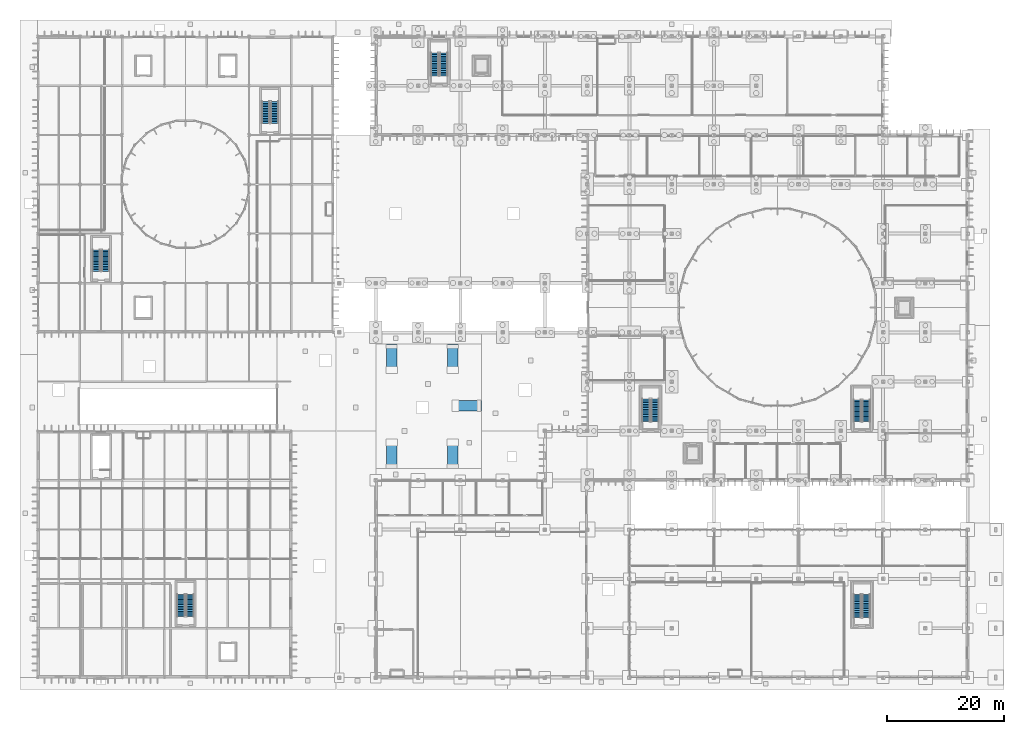
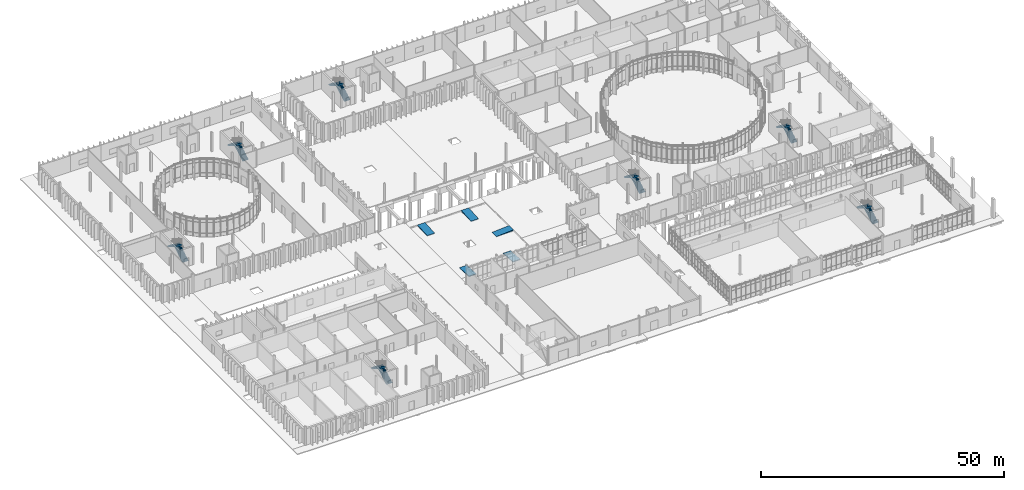
# One storey, part 101 of 118: 14 stair flights, 5 ramp flights, 12 elements without a shape of their own.
"""IFC4 building model written with IfcOpenShell, lengths in metres."""

from ifc_helpers import new_model, si_unit, direction, frame, origin, place, context, subcontext, project, spatial, polyline, outline, extrude, material, layer, layer_set, type_object, element, aggregate, save


model = new_model("IFC4")

# Units and contexts
model_context = context("Model", 3, precision=1e-05, world=origin(), true_north=direction((0.0, 1.0)))
body_context = subcontext(model_context, "Body", "Model", "MODEL_VIEW")
ifc_project = project(units=[si_unit("LENGTHUNIT", "METRE"), si_unit("AREAUNIT", "SQUARE_METRE"), si_unit("VOLUMEUNIT", "CUBIC_METRE"), si_unit("PLANEANGLEUNIT", "RADIAN"), si_unit("MASSUNIT", "GRAM", prefix="KILO")], contexts=[model_context])

# Site, building, storey
site_placement = place(None, origin())
site = spatial("IfcSite", under=ifc_project, at=site_placement, CompositionType="ELEMENT")
building_placement = place(site_placement, origin())
building = spatial("IfcBuilding", under=site, at=building_placement, Name="Qelthora Terrace Specialist Clinic", CompositionType="ELEMENT")
storey_placement = place(building_placement, origin())
storey = spatial("IfcBuildingStorey", under=building, at=storey_placement, Name="L00", CompositionType="ELEMENT", Elevation=0.0)

# Stair, stair flights
ifc_material = material(Name="Concrete C30/37", Category="concrete")
stair_type_1 = type_object("IfcStairType", Name="STR-175-280", PredefinedType="HALF_TURN_STAIR", material=ifc_material)
stair_1_placement = place(storey_placement, origin())
stair_1 = element("IfcStair", 1, at=stair_1_placement, inside=storey, type_object=stair_type_1, Name="L00 Enclosed Exit Stair ST-01", PredefinedType="HALF_TURN_STAIR")
stair_flight_type_1 = type_object("IfcStairFlightType", Name="SFL-175-280", PredefinedType="STRAIGHT", material=ifc_material)
stair_flight_1_placement = place(storey_placement, frame((11.574951171875, 69.199951171875, 0.0), z_axis=(0.0, 0.0, 1.0), x_axis=(0.0, 1.0, 0.0)))
stair_flight_1 = element("IfcStairFlight", 2, at=stair_flight_1_placement, type_object=stair_flight_type_1, Name="ST-01 flight 1", NumberOfRisers=14, NumberOfTreads=13, PredefinedType="STRAIGHT", RiserHeight=0.171428571, TreadLength=0.28, context=body_context, shape_type="SweptSolid", body=[
    extrude(outline(polyline([(-0.001953125, 0.0), (-0.001953125, 0.17138671875), (0.280029296875, 0.17138671875), (0.280029296875, 0.3427734375), (0.56005859375, 0.3427734375), (0.56005859375, 0.514404296875), (0.840087890625, 0.514404296875), (0.840087890625, 0.685791015625), (1.1201171875, 0.685791015625), (1.1201171875, 0.857177734375), (1.39990234375, 0.857177734375), (1.39990234375, 1.028564453125), (1.679931640625, 1.028564453125), (1.679931640625, 1.199951171875), (1.9599609375, 1.199951171875), (1.9599609375, 1.371337890625), (2.239990234375, 1.371337890625), (2.239990234375, 1.54296875), (2.52001953125, 1.54296875), (2.52001953125, 1.71435546875), (2.800048828125, 1.71435546875), (2.800048828125, 1.8857421875), (3.080078125, 1.8857421875), (3.080078125, 2.05712890625), (3.360107421875, 2.05712890625), (3.360107421875, 2.228515625), (3.639892578125, 2.228515625), (3.639892578125, 2.39990234375), (3.64208984375, 2.39990234375), (3.64208984375, 2.017578125), (3.639892578125, 2.017578125), (0.344482421875, 0.0), (-0.001953125, 0.0)])), frame((0.0, 0.675048828125, 0.0), z_axis=(0.0, -1.0, 0.0), x_axis=(1.0, 0.0, 0.0)), (0.0, 0.0, 1.0), 1.35009765625),
])
stair_flight_2_placement = place(storey_placement, frame((10.02490234375, 72.840087890625, 2.39990234375), z_axis=(0.0, 0.0, 1.0), x_axis=(0.0, -1.0, 0.0)))
stair_flight_2 = element("IfcStairFlight", 3, at=stair_flight_2_placement, type_object=stair_flight_type_1, Name="ST-01 flight 2", NumberOfRisers=14, NumberOfTreads=13, PredefinedType="STRAIGHT", RiserHeight=0.171428571, TreadLength=0.28, context=body_context, shape_type="SweptSolid", body=[
    extrude(outline(polyline([(-0.001953125, 0.0), (-0.001953125, 0.17138671875), (0.280029296875, 0.17138671875), (0.280029296875, 0.3427734375), (0.56005859375, 0.3427734375), (0.56005859375, 0.514404296875), (0.840087890625, 0.514404296875), (0.840087890625, 0.685791015625), (1.1201171875, 0.685791015625), (1.1201171875, 0.857177734375), (1.39990234375, 0.857177734375), (1.39990234375, 1.028564453125), (1.679931640625, 1.028564453125), (1.679931640625, 1.199951171875), (1.9599609375, 1.199951171875), (1.9599609375, 1.371337890625), (2.239990234375, 1.371337890625), (2.239990234375, 1.54296875), (2.52001953125, 1.54296875), (2.52001953125, 1.71435546875), (2.800048828125, 1.71435546875), (2.800048828125, 1.8857421875), (3.080078125, 1.8857421875), (3.080078125, 2.05712890625), (3.360107421875, 2.05712890625), (3.360107421875, 2.228515625), (3.639892578125, 2.228515625), (3.639892578125, 2.39990234375), (3.64208984375, 2.39990234375), (3.64208984375, 2.017578125), (3.639892578125, 2.017578125), (0.344482421875, 0.0), (-0.001953125, 0.0)])), frame((0.0, 0.675048828125, 0.0), z_axis=(0.0, -1.0, 0.0), x_axis=(1.0, 0.0, 0.0)), (0.0, 0.0, 1.0), 1.35009765625),
])
aggregate(stair_1, [stair_flight_1, stair_flight_2])

stair_type_2 = type_object("IfcStairType", Name="STR-175-285", PredefinedType="HALF_TURN_STAIR", material=ifc_material)
stair_2_placement = place(storey_placement, origin())
stair_2 = element("IfcStair", 4, at=stair_2_placement, inside=storey, type_object=stair_type_2, Name="L00 Enclosed Exit Stair ST-02", PredefinedType="HALF_TURN_STAIR")
stair_flight_type_2 = type_object("IfcStairFlightType", Name="SFL-175-285", PredefinedType="STRAIGHT", material=ifc_material)
stair_flight_3_placement = place(storey_placement, frame((40.375, 94.39990234375, 0.0), z_axis=(0.0, 0.0, 1.0), x_axis=(0.0, 1.0, 0.0)))
stair_flight_3 = element("IfcStairFlight", 5, at=stair_flight_3_placement, type_object=stair_flight_type_2, Name="ST-02 flight 1", NumberOfRisers=14, NumberOfTreads=13, PredefinedType="STRAIGHT", RiserHeight=0.171428571, TreadLength=0.285, context=body_context, shape_type="SweptSolid", body=[
    extrude(outline(polyline([(-0.001953125, 0.0), (-0.001953125, 0.17138671875), (0.284912109375, 0.17138671875), (0.284912109375, 0.3427734375), (0.570068359375, 0.3427734375), (0.570068359375, 0.514404296875), (0.85498046875, 0.514404296875), (0.85498046875, 0.685791015625), (1.139892578125, 0.685791015625), (1.139892578125, 0.857177734375), (1.425048828125, 0.857177734375), (1.425048828125, 1.028564453125), (1.7099609375, 1.028564453125), (1.7099609375, 1.199951171875), (1.9951171875, 1.199951171875), (1.9951171875, 1.371337890625), (2.280029296875, 1.371337890625), (2.280029296875, 1.54296875), (2.56494140625, 1.54296875), (2.56494140625, 1.71435546875), (2.85009765625, 1.71435546875), (2.85009765625, 1.8857421875), (3.135009765625, 1.8857421875), (3.135009765625, 2.05712890625), (3.419921875, 2.05712890625), (3.419921875, 2.228515625), (3.705078125, 2.228515625), (3.705078125, 2.39990234375), (3.70703125, 2.39990234375), (3.70703125, 2.0185546875), (3.705078125, 2.0185546875), (0.34912109375, 0.0), (-0.001953125, 0.0)])), frame((0.0, 0.675048828125, 0.0), z_axis=(0.0, -1.0, 0.0), x_axis=(1.0, 0.0, 0.0)), (0.0, 0.0, 1.0), 1.35009765625),
])
stair_flight_4_placement = place(storey_placement, frame((38.824951171875, 98.10498046875, 2.39990234375), z_axis=(0.0, 0.0, 1.0), x_axis=(0.0, -1.0, 0.0)))
stair_flight_4 = element("IfcStairFlight", 6, at=stair_flight_4_placement, type_object=stair_flight_type_2, Name="ST-02 flight 2", NumberOfRisers=14, NumberOfTreads=13, PredefinedType="STRAIGHT", RiserHeight=0.171428571, TreadLength=0.285, context=body_context, shape_type="SweptSolid", body=[
    extrude(outline(polyline([(-0.001953125, 0.0), (-0.001953125, 0.17138671875), (0.284912109375, 0.17138671875), (0.284912109375, 0.3427734375), (0.570068359375, 0.3427734375), (0.570068359375, 0.514404296875), (0.85498046875, 0.514404296875), (0.85498046875, 0.685791015625), (1.139892578125, 0.685791015625), (1.139892578125, 0.857177734375), (1.425048828125, 0.857177734375), (1.425048828125, 1.028564453125), (1.7099609375, 1.028564453125), (1.7099609375, 1.199951171875), (1.9951171875, 1.199951171875), (1.9951171875, 1.371337890625), (2.280029296875, 1.371337890625), (2.280029296875, 1.54296875), (2.56494140625, 1.54296875), (2.56494140625, 1.71435546875), (2.85009765625, 1.71435546875), (2.85009765625, 1.8857421875), (3.135009765625, 1.8857421875), (3.135009765625, 2.05712890625), (3.419921875, 2.05712890625), (3.419921875, 2.228515625), (3.705078125, 2.228515625), (3.705078125, 2.39990234375), (3.70703125, 2.39990234375), (3.70703125, 2.0185546875), (3.705078125, 2.0185546875), (0.34912109375, 0.0), (-0.001953125, 0.0)])), frame((0.0, 0.675048828125, 0.0), z_axis=(0.0, -1.0, 0.0), x_axis=(1.0, 0.0, 0.0)), (0.0, 0.0, 1.0), 1.35009765625),
])
aggregate(stair_2, [stair_flight_3, stair_flight_4])

stair_3_placement = place(storey_placement, origin())
stair_3 = element("IfcStair", 7, at=stair_3_placement, inside=storey, type_object=stair_type_2, Name="L00 Enclosed Exit Stair ST-06", PredefinedType="HALF_TURN_STAIR")
stair_flight_5_placement = place(storey_placement, frame((141.175048828125, 43.60009765625, 0.0), z_axis=(0.0, 0.0, 1.0), x_axis=(0.0, 1.0, 0.0)))
stair_flight_5 = element("IfcStairFlight", 8, at=stair_flight_5_placement, type_object=stair_flight_type_2, Name="ST-06 flight 1", NumberOfRisers=14, NumberOfTreads=13, PredefinedType="STRAIGHT", RiserHeight=0.171428571, TreadLength=0.285, context=body_context, shape_type="SweptSolid", body=[
    extrude(outline(polyline([(-0.001953125, 0.0), (-0.001953125, 0.17138671875), (0.284912109375, 0.17138671875), (0.284912109375, 0.3427734375), (0.570068359375, 0.3427734375), (0.570068359375, 0.514404296875), (0.85498046875, 0.514404296875), (0.85498046875, 0.685791015625), (1.139892578125, 0.685791015625), (1.139892578125, 0.857177734375), (1.425048828125, 0.857177734375), (1.425048828125, 1.028564453125), (1.7099609375, 1.028564453125), (1.7099609375, 1.199951171875), (1.9951171875, 1.199951171875), (1.9951171875, 1.371337890625), (2.280029296875, 1.371337890625), (2.280029296875, 1.54296875), (2.56494140625, 1.54296875), (2.56494140625, 1.71435546875), (2.85009765625, 1.71435546875), (2.85009765625, 1.8857421875), (3.135009765625, 1.8857421875), (3.135009765625, 2.05712890625), (3.419921875, 2.05712890625), (3.419921875, 2.228515625), (3.705078125, 2.228515625), (3.705078125, 2.39990234375), (3.70703125, 2.39990234375), (3.70703125, 2.0185546875), (3.705078125, 2.0185546875), (0.34912109375, 0.0), (-0.001953125, 0.0)])), frame((0.0, 0.675048828125, 0.0), z_axis=(0.0, -1.0, 0.0), x_axis=(1.0, 0.0, 0.0)), (0.0, 0.0, 1.0), 1.35009765625),
])
stair_flight_6_placement = place(storey_placement, frame((139.625, 47.304931640625, 2.39990234375), z_axis=(0.0, 0.0, 1.0), x_axis=(0.0, -1.0, 0.0)))
stair_flight_6 = element("IfcStairFlight", 9, at=stair_flight_6_placement, type_object=stair_flight_type_2, Name="ST-06 flight 2", NumberOfRisers=14, NumberOfTreads=13, PredefinedType="STRAIGHT", RiserHeight=0.171428571, TreadLength=0.285, context=body_context, shape_type="SweptSolid", body=[
    extrude(outline(polyline([(-0.001953125, 0.0), (-0.001953125, 0.17138671875), (0.284912109375, 0.17138671875), (0.284912109375, 0.3427734375), (0.570068359375, 0.3427734375), (0.570068359375, 0.514404296875), (0.85498046875, 0.514404296875), (0.85498046875, 0.685791015625), (1.139892578125, 0.685791015625), (1.139892578125, 0.857177734375), (1.425048828125, 0.857177734375), (1.425048828125, 1.028564453125), (1.7099609375, 1.028564453125), (1.7099609375, 1.199951171875), (1.9951171875, 1.199951171875), (1.9951171875, 1.371337890625), (2.280029296875, 1.371337890625), (2.280029296875, 1.54296875), (2.56494140625, 1.54296875), (2.56494140625, 1.71435546875), (2.85009765625, 1.71435546875), (2.85009765625, 1.8857421875), (3.135009765625, 1.8857421875), (3.135009765625, 2.05712890625), (3.419921875, 2.05712890625), (3.419921875, 2.228515625), (3.705078125, 2.228515625), (3.705078125, 2.39990234375), (3.70703125, 2.39990234375), (3.70703125, 2.0185546875), (3.705078125, 2.0185546875), (0.34912109375, 0.0), (-0.001953125, 0.0)])), frame((0.0, 0.675048828125, 0.0), z_axis=(0.0, -1.0, 0.0), x_axis=(1.0, 0.0, 0.0)), (0.0, 0.0, 1.0), 1.35009765625),
])
aggregate(stair_3, [stair_flight_5, stair_flight_6])

stair_type_3 = type_object("IfcStairType", Name="STR-175-290", PredefinedType="HALF_TURN_STAIR", material=ifc_material)
stair_4_placement = place(storey_placement, origin())
stair_4 = element("IfcStair", 10, at=stair_4_placement, inside=storey, type_object=stair_type_3, Name="L00 Enclosed Exit Stair ST-03", PredefinedType="HALF_TURN_STAIR")
stair_flight_type_3 = type_object("IfcStairFlightType", Name="SFL-175-290", PredefinedType="STRAIGHT", material=ifc_material)
stair_flight_7_placement = place(storey_placement, frame((25.97509765625, 10.39990234375, 0.0), z_axis=(0.0, 0.0, 1.0), x_axis=(0.0, 1.0, 0.0)))
stair_flight_7 = element("IfcStairFlight", 11, at=stair_flight_7_placement, type_object=stair_flight_type_3, Name="ST-03 flight 1", NumberOfRisers=14, NumberOfTreads=13, PredefinedType="STRAIGHT", RiserHeight=0.171428571, TreadLength=0.29, context=body_context, shape_type="SweptSolid", body=[
    extrude(outline(polyline([(-0.001953125, 0.0), (-0.001953125, 0.17138671875), (0.2900390625, 0.17138671875), (0.2900390625, 0.3427734375), (0.580078125, 0.3427734375), (0.580078125, 0.514404296875), (0.8701171875, 0.514404296875), (0.8701171875, 0.685791015625), (1.159912109375, 0.685791015625), (1.159912109375, 0.857177734375), (1.449951171875, 0.857177734375), (1.449951171875, 1.028564453125), (1.739990234375, 1.028564453125), (1.739990234375, 1.199951171875), (2.030029296875, 1.199951171875), (2.030029296875, 1.371337890625), (2.320068359375, 1.371337890625), (2.320068359375, 1.54296875), (2.610107421875, 1.54296875), (2.610107421875, 1.71435546875), (2.89990234375, 1.71435546875), (2.89990234375, 1.8857421875), (3.18994140625, 1.8857421875), (3.18994140625, 2.05712890625), (3.47998046875, 2.05712890625), (3.47998046875, 2.228515625), (3.77001953125, 2.228515625), (3.77001953125, 2.39990234375), (3.77197265625, 2.39990234375), (3.77197265625, 2.01953125), (3.77001953125, 2.01953125), (0.353515625, 0.0), (-0.001953125, 0.0)])), frame((0.0, 0.675048828125, 0.0), z_axis=(0.0, -1.0, 0.0), x_axis=(1.0, 0.0, 0.0)), (0.0, 0.0, 1.0), 1.35009765625),
])
stair_flight_8_placement = place(storey_placement, frame((24.425048828125, 14.169921875, 2.39990234375), z_axis=(0.0, 0.0, 1.0), x_axis=(0.0, -1.0, 0.0)))
stair_flight_8 = element("IfcStairFlight", 12, at=stair_flight_8_placement, type_object=stair_flight_type_3, Name="ST-03 flight 2", NumberOfRisers=14, NumberOfTreads=13, PredefinedType="STRAIGHT", RiserHeight=0.171428571, TreadLength=0.29, context=body_context, shape_type="SweptSolid", body=[
    extrude(outline(polyline([(-0.001953125, 0.0), (-0.001953125, 0.17138671875), (0.2900390625, 0.17138671875), (0.2900390625, 0.3427734375), (0.580078125, 0.3427734375), (0.580078125, 0.514404296875), (0.8701171875, 0.514404296875), (0.8701171875, 0.685791015625), (1.159912109375, 0.685791015625), (1.159912109375, 0.857177734375), (1.449951171875, 0.857177734375), (1.449951171875, 1.028564453125), (1.739990234375, 1.028564453125), (1.739990234375, 1.199951171875), (2.030029296875, 1.199951171875), (2.030029296875, 1.371337890625), (2.320068359375, 1.371337890625), (2.320068359375, 1.54296875), (2.610107421875, 1.54296875), (2.610107421875, 1.71435546875), (2.89990234375, 1.71435546875), (2.89990234375, 1.8857421875), (3.18994140625, 1.8857421875), (3.18994140625, 2.05712890625), (3.47998046875, 2.05712890625), (3.47998046875, 2.228515625), (3.77001953125, 2.228515625), (3.77001953125, 2.39990234375), (3.77197265625, 2.39990234375), (3.77197265625, 2.01953125), (3.77001953125, 2.01953125), (0.353515625, 0.0), (-0.001953125, 0.0)])), frame((0.0, 0.675048828125, 0.0), z_axis=(0.0, -1.0, 0.0), x_axis=(1.0, 0.0, 0.0)), (0.0, 0.0, 1.0), 1.35009765625),
])
aggregate(stair_4, [stair_flight_7, stair_flight_8])

stair_type_4 = type_object("IfcStairType", Name="STR-175-295", PredefinedType="HALF_TURN_STAIR", material=ifc_material)
stair_5_placement = place(storey_placement, origin())
stair_5 = element("IfcStair", 13, at=stair_5_placement, inside=storey, type_object=stair_type_4, Name="L00 Enclosed Exit Stair ST-05", PredefinedType="HALF_TURN_STAIR")
stair_flight_type_4 = type_object("IfcStairFlightType", Name="SFL-175-295", PredefinedType="STRAIGHT", material=ifc_material)
stair_flight_9_placement = place(storey_placement, frame((105.175048828125, 43.60009765625, 0.0), z_axis=(0.0, 0.0, 1.0), x_axis=(0.0, 1.0, 0.0)))
stair_flight_9 = element("IfcStairFlight", 14, at=stair_flight_9_placement, type_object=stair_flight_type_4, Name="ST-05 flight 1", NumberOfRisers=14, NumberOfTreads=13, PredefinedType="STRAIGHT", RiserHeight=0.171428571, TreadLength=0.295, context=body_context, shape_type="SweptSolid", body=[
    extrude(outline(polyline([(-0.001953125, 0.0), (-0.001953125, 0.17138671875), (0.294921875, 0.17138671875), (0.294921875, 0.3427734375), (0.590087890625, 0.3427734375), (0.590087890625, 0.514404296875), (0.885009765625, 0.514404296875), (0.885009765625, 0.685791015625), (1.179931640625, 0.685791015625), (1.179931640625, 0.857177734375), (1.47509765625, 0.857177734375), (1.47509765625, 1.028564453125), (1.77001953125, 1.028564453125), (1.77001953125, 1.199951171875), (2.06494140625, 1.199951171875), (2.06494140625, 1.371337890625), (2.360107421875, 1.371337890625), (2.360107421875, 1.54296875), (2.655029296875, 1.54296875), (2.655029296875, 1.71435546875), (2.949951171875, 1.71435546875), (2.949951171875, 1.8857421875), (3.2451171875, 1.8857421875), (3.2451171875, 2.05712890625), (3.5400390625, 2.05712890625), (3.5400390625, 2.228515625), (3.8349609375, 2.228515625), (3.8349609375, 2.39990234375), (3.8369140625, 2.39990234375), (3.8369140625, 2.0205078125), (3.8349609375, 2.0205078125), (0.358154296875, 0.0), (-0.001953125, 0.0)])), frame((0.0, 0.675048828125, 0.0), z_axis=(0.0, -1.0, 0.0), x_axis=(1.0, 0.0, 0.0)), (0.0, 0.0, 1.0), 1.35009765625),
])
stair_flight_10_placement = place(storey_placement, frame((103.625, 47.43505859375, 2.39990234375), z_axis=(0.0, 0.0, 1.0), x_axis=(0.0, -1.0, 0.0)))
stair_flight_10 = element("IfcStairFlight", 15, at=stair_flight_10_placement, type_object=stair_flight_type_4, Name="ST-05 flight 2", NumberOfRisers=14, NumberOfTreads=13, PredefinedType="STRAIGHT", RiserHeight=0.171428571, TreadLength=0.295, context=body_context, shape_type="SweptSolid", body=[
    extrude(outline(polyline([(-0.001953125, 0.0), (-0.001953125, 0.17138671875), (0.294921875, 0.17138671875), (0.294921875, 0.3427734375), (0.590087890625, 0.3427734375), (0.590087890625, 0.514404296875), (0.885009765625, 0.514404296875), (0.885009765625, 0.685791015625), (1.179931640625, 0.685791015625), (1.179931640625, 0.857177734375), (1.47509765625, 0.857177734375), (1.47509765625, 1.028564453125), (1.77001953125, 1.028564453125), (1.77001953125, 1.199951171875), (2.06494140625, 1.199951171875), (2.06494140625, 1.371337890625), (2.360107421875, 1.371337890625), (2.360107421875, 1.54296875), (2.655029296875, 1.54296875), (2.655029296875, 1.71435546875), (2.949951171875, 1.71435546875), (2.949951171875, 1.8857421875), (3.2451171875, 1.8857421875), (3.2451171875, 2.05712890625), (3.5400390625, 2.05712890625), (3.5400390625, 2.228515625), (3.8349609375, 2.228515625), (3.8349609375, 2.39990234375), (3.8369140625, 2.39990234375), (3.8369140625, 2.0205078125), (3.8349609375, 2.0205078125), (0.358154296875, 0.0), (-0.001953125, 0.0)])), frame((0.0, 0.675048828125, 0.0), z_axis=(0.0, -1.0, 0.0), x_axis=(1.0, 0.0, 0.0)), (0.0, 0.0, 1.0), 1.35009765625),
])
aggregate(stair_5, [stair_flight_9, stair_flight_10])

stair_type_5 = type_object("IfcStairType", Name="STR-175-300", PredefinedType="HALF_TURN_STAIR", material=ifc_material)
stair_6_placement = place(storey_placement, origin())
stair_6 = element("IfcStair", 16, at=stair_6_placement, inside=storey, type_object=stair_type_5, Name="L00 Enclosed Exit Stair ST-07", PredefinedType="HALF_TURN_STAIR")
stair_flight_type_5 = type_object("IfcStairFlightType", Name="SFL-175-300", PredefinedType="STRAIGHT", material=ifc_material)
stair_flight_11_placement = place(storey_placement, frame((69.175048828125, 102.5, 0.0), z_axis=(0.0, 0.0, 1.0), x_axis=(0.0, 1.0, 0.0)))
stair_flight_11 = element("IfcStairFlight", 17, at=stair_flight_11_placement, type_object=stair_flight_type_5, Name="ST-07 flight 1", NumberOfRisers=14, NumberOfTreads=13, PredefinedType="STRAIGHT", RiserHeight=0.171428571, TreadLength=0.3, context=body_context, shape_type="SweptSolid", body=[
    extrude(outline(polyline([(-0.001953125, 0.0), (-0.001953125, 0.17138671875), (0.300048828125, 0.17138671875), (0.300048828125, 0.3427734375), (0.60009765625, 0.3427734375), (0.60009765625, 0.514404296875), (0.89990234375, 0.514404296875), (0.89990234375, 0.685791015625), (1.199951171875, 0.685791015625), (1.199951171875, 0.857177734375), (1.5, 0.857177734375), (1.5, 1.028564453125), (1.800048828125, 1.028564453125), (1.800048828125, 1.199951171875), (2.10009765625, 1.199951171875), (2.10009765625, 1.371337890625), (2.39990234375, 1.371337890625), (2.39990234375, 1.54296875), (2.699951171875, 1.54296875), (2.699951171875, 1.71435546875), (3.0, 1.71435546875), (3.0, 1.8857421875), (3.300048828125, 1.8857421875), (3.300048828125, 2.05712890625), (3.60009765625, 2.05712890625), (3.60009765625, 2.228515625), (3.89990234375, 2.228515625), (3.89990234375, 2.39990234375), (3.902099609375, 2.39990234375), (3.902099609375, 2.021240234375), (3.89990234375, 2.021240234375), (0.362548828125, 0.0), (-0.001953125, 0.0)])), frame((0.0, 0.675048828125, 0.0), z_axis=(0.0, -1.0, 0.0), x_axis=(1.0, 0.0, 0.0)), (0.0, 0.0, 1.0), 1.35009765625),
])
stair_flight_12_placement = place(storey_placement, frame((67.625, 106.39990234375, 2.39990234375), z_axis=(0.0, 0.0, 1.0), x_axis=(0.0, -1.0, 0.0)))
stair_flight_12 = element("IfcStairFlight", 18, at=stair_flight_12_placement, type_object=stair_flight_type_5, Name="ST-07 flight 2", NumberOfRisers=14, NumberOfTreads=13, PredefinedType="STRAIGHT", RiserHeight=0.171428571, TreadLength=0.3, context=body_context, shape_type="SweptSolid", body=[
    extrude(outline(polyline([(-0.001953125, 0.0), (-0.001953125, 0.17138671875), (0.300048828125, 0.17138671875), (0.300048828125, 0.3427734375), (0.60009765625, 0.3427734375), (0.60009765625, 0.514404296875), (0.89990234375, 0.514404296875), (0.89990234375, 0.685791015625), (1.199951171875, 0.685791015625), (1.199951171875, 0.857177734375), (1.5, 0.857177734375), (1.5, 1.028564453125), (1.800048828125, 1.028564453125), (1.800048828125, 1.199951171875), (2.10009765625, 1.199951171875), (2.10009765625, 1.371337890625), (2.39990234375, 1.371337890625), (2.39990234375, 1.54296875), (2.699951171875, 1.54296875), (2.699951171875, 1.71435546875), (3.0, 1.71435546875), (3.0, 1.8857421875), (3.300048828125, 1.8857421875), (3.300048828125, 2.05712890625), (3.60009765625, 2.05712890625), (3.60009765625, 2.228515625), (3.89990234375, 2.228515625), (3.89990234375, 2.39990234375), (3.902099609375, 2.39990234375), (3.902099609375, 2.021240234375), (3.89990234375, 2.021240234375), (0.362548828125, 0.0), (-0.001953125, 0.0)])), frame((0.0, 0.675048828125, 0.0), z_axis=(0.0, -1.0, 0.0), x_axis=(1.0, 0.0, 0.0)), (0.0, 0.0, 1.0), 1.35009765625),
])
aggregate(stair_6, [stair_flight_11, stair_flight_12])

stair_type_6 = type_object("IfcStairType", Name="STR-175-305", PredefinedType="HALF_TURN_STAIR", material=ifc_material)
stair_7_placement = place(storey_placement, origin())
stair_7 = element("IfcStair", 19, at=stair_7_placement, inside=storey, type_object=stair_type_6, Name="L00 Enclosed Exit Stair ST-08", PredefinedType="HALF_TURN_STAIR")
stair_flight_type_6 = type_object("IfcStairFlightType", Name="SFL-175-305", PredefinedType="STRAIGHT", material=ifc_material)
stair_flight_13_placement = place(storey_placement, frame((141.175048828125, 10.199951171875, 0.0), z_axis=(0.0, 0.0, 1.0), x_axis=(0.0, 1.0, 0.0)))
stair_flight_13 = element("IfcStairFlight", 20, at=stair_flight_13_placement, type_object=stair_flight_type_6, Name="ST-08 flight 1", NumberOfRisers=14, NumberOfTreads=13, PredefinedType="STRAIGHT", RiserHeight=0.171428571, TreadLength=0.305, context=body_context, shape_type="SweptSolid", body=[
    extrude(outline(polyline([(-0.001953125, 0.0), (-0.001953125, 0.17138671875), (0.304931640625, 0.17138671875), (0.304931640625, 0.3427734375), (0.610107421875, 0.3427734375), (0.610107421875, 0.514404296875), (0.9150390625, 0.514404296875), (0.9150390625, 0.685791015625), (1.219970703125, 0.685791015625), (1.219970703125, 0.857177734375), (1.52490234375, 0.857177734375), (1.52490234375, 1.028564453125), (1.830078125, 1.028564453125), (1.830078125, 1.199951171875), (2.135009765625, 1.199951171875), (2.135009765625, 1.371337890625), (2.43994140625, 1.371337890625), (2.43994140625, 1.54296875), (2.7451171875, 1.54296875), (2.7451171875, 1.71435546875), (3.050048828125, 1.71435546875), (3.050048828125, 1.8857421875), (3.35498046875, 1.8857421875), (3.35498046875, 2.05712890625), (3.659912109375, 2.05712890625), (3.659912109375, 2.228515625), (3.965087890625, 2.228515625), (3.965087890625, 2.39990234375), (3.967041015625, 2.39990234375), (3.967041015625, 2.022216796875), (3.965087890625, 2.022216796875), (0.3671875, 0.0), (-0.001953125, 0.0)])), frame((0.0, 0.675048828125, 0.0), z_axis=(0.0, -1.0, 0.0), x_axis=(1.0, 0.0, 0.0)), (0.0, 0.0, 1.0), 1.35009765625),
])
stair_flight_14_placement = place(storey_placement, frame((139.625, 14.1650390625, 2.39990234375), z_axis=(0.0, 0.0, 1.0), x_axis=(0.0, -1.0, 0.0)))
stair_flight_14 = element("IfcStairFlight", 21, at=stair_flight_14_placement, type_object=stair_flight_type_6, Name="ST-08 flight 2", NumberOfRisers=14, NumberOfTreads=13, PredefinedType="STRAIGHT", RiserHeight=0.171428571, TreadLength=0.305, context=body_context, shape_type="SweptSolid", body=[
    extrude(outline(polyline([(-0.001953125, 0.0), (-0.001953125, 0.17138671875), (0.304931640625, 0.17138671875), (0.304931640625, 0.3427734375), (0.610107421875, 0.3427734375), (0.610107421875, 0.514404296875), (0.9150390625, 0.514404296875), (0.9150390625, 0.685791015625), (1.219970703125, 0.685791015625), (1.219970703125, 0.857177734375), (1.52490234375, 0.857177734375), (1.52490234375, 1.028564453125), (1.830078125, 1.028564453125), (1.830078125, 1.199951171875), (2.135009765625, 1.199951171875), (2.135009765625, 1.371337890625), (2.43994140625, 1.371337890625), (2.43994140625, 1.54296875), (2.7451171875, 1.54296875), (2.7451171875, 1.71435546875), (3.050048828125, 1.71435546875), (3.050048828125, 1.8857421875), (3.35498046875, 1.8857421875), (3.35498046875, 2.05712890625), (3.659912109375, 2.05712890625), (3.659912109375, 2.228515625), (3.965087890625, 2.228515625), (3.965087890625, 2.39990234375), (3.967041015625, 2.39990234375), (3.967041015625, 2.022216796875), (3.965087890625, 2.022216796875), (0.3671875, 0.0), (-0.001953125, 0.0)])), frame((0.0, 0.675048828125, 0.0), z_axis=(0.0, -1.0, 0.0), x_axis=(1.0, 0.0, 0.0)), (0.0, 0.0, 1.0), 1.35009765625),
])
aggregate(stair_7, [stair_flight_13, stair_flight_14])

# Ramp, ramp flight
ramp_type = type_object("IfcRampType", Name="RMP-PED-C30", PredefinedType="STRAIGHT_RUN_RAMP", material=ifc_material)
ramp_1_placement = place(storey_placement, origin())
ramp_1 = element("IfcRamp", 22, at=ramp_1_placement, inside=storey, type_object=ramp_type, Name="Forecourt Sunken Courtyard South-West Accessible Ramp PR-01", PredefinedType="STRAIGHT_RUN_RAMP")
ifc_layer = layer(ifc_material, 0.199951171875)
ifc_layer_set = layer_set([ifc_layer], Name="Concrete C30/37")
ramp_flight_type = type_object("IfcRampFlightType", Name="RFL-PED-200-C30", PredefinedType="STRAIGHT", material=ifc_layer_set)
ramp_flight_1_placement = place(storey_placement, frame((59.39990234375, 39.60009765625, -0.500732421875), z_axis=(0.0, 0.074788435424, 0.997199423349), x_axis=(0.0, -0.997199423349, 0.074788435424)))
ramp_flight_1 = element("IfcRampFlight", 23, at=ramp_flight_1_placement, type_object=ramp_flight_type, Name="Forecourt Sunken Courtyard South-West Accessible Ramp PR-01 flight 1", PredefinedType="STRAIGHT", context=body_context, shape_type="SweptSolid", body=[
    extrude(outline(polyline([(0.0, 0.0), (4.011968246472171, 0.0), (4.011968246472171, 1.8000488281250004), (0.0, 1.8000488281250004), (0.0, 0.0)])), origin(), (0.074788435424, 0.0, 0.997199423349), 0.20068359375),
])
aggregate(ramp_1, [ramp_flight_1])

ramp_2_placement = place(storey_placement, origin())
ramp_2 = element("IfcRamp", 24, at=ramp_2_placement, inside=storey, type_object=ramp_type, Name="Healing Courtyard South-East Accessible Ramp PR-02", PredefinedType="STRAIGHT_RUN_RAMP")
ramp_flight_2_placement = place(storey_placement, frame((69.800048828125, 39.60009765625, -0.500732421875), z_axis=(0.0, 0.074788435424, 0.997199423349), x_axis=(0.0, -0.997199423349, 0.074788435424)))
ramp_flight_2 = element("IfcRampFlight", 25, at=ramp_flight_2_placement, type_object=ramp_flight_type, Name="Healing Courtyard South-East Accessible Ramp PR-02 flight 1", PredefinedType="STRAIGHT", context=body_context, shape_type="SweptSolid", body=[
    extrude(outline(polyline([(0.0, 0.0), (4.011968246472171, 0.0), (4.011968246472171, 1.8000488281250004), (0.0, 1.8000488281250004), (0.0, 0.0)])), origin(), (0.074788435424, 0.0, 0.997199423349), 0.20068359375),
])
aggregate(ramp_2, [ramp_flight_2])

ramp_3_placement = place(storey_placement, origin())
ramp_3 = element("IfcRamp", 26, at=ramp_3_placement, inside=storey, type_object=ramp_type, Name="Central Courtyard North-West Accessible Ramp PR-03", PredefinedType="STRAIGHT_RUN_RAMP")
ramp_flight_3_placement = place(storey_placement, frame((59.39990234375, 52.800048828125, -0.500732421875), z_axis=(0.0, -0.07479297406, 0.997199082947), x_axis=(1.0, 0.0, 0.0)))
ramp_flight_3 = element("IfcRampFlight", 27, at=ramp_flight_3_placement, type_object=ramp_flight_type, Name="Central Courtyard North-West Accessible Ramp PR-03 flight 1", PredefinedType="STRAIGHT", context=body_context, shape_type="SweptSolid", body=[
    extrude(outline(polyline([(0.0, 0.0), (1.800048828125, 0.0), (1.800048828125, 4.011724789623257), (0.0, 4.011724789623257), (0.0, 0.0)])), origin(), (0.0, 0.07479297406, 0.997199082947), 0.20068359375),
])
aggregate(ramp_3, [ramp_flight_3])

ramp_4_placement = place(storey_placement, origin())
ramp_4 = element("IfcRamp", 28, at=ramp_4_placement, inside=storey, type_object=ramp_type, Name="Central Courtyard North-East Accessible Ramp PR-04", PredefinedType="STRAIGHT_RUN_RAMP")
ramp_flight_4_placement = place(storey_placement, frame((69.800048828125, 52.800048828125, -0.500732421875), z_axis=(0.0, -0.07479297406, 0.997199082947), x_axis=(1.0, 0.0, 0.0)))
ramp_flight_4 = element("IfcRampFlight", 29, at=ramp_flight_4_placement, type_object=ramp_flight_type, Name="Central Courtyard North-East Accessible Ramp PR-04 flight 1", PredefinedType="STRAIGHT", context=body_context, shape_type="SweptSolid", body=[
    extrude(outline(polyline([(0.0, 0.0), (1.800048828125, 0.0), (1.800048828125, 4.011724789623257), (0.0, 4.011724789623257), (0.0, 0.0)])), origin(), (0.0, 0.07479297406, 0.997199082947), 0.20068359375),
])
aggregate(ramp_4, [ramp_flight_4])

ramp_5_placement = place(storey_placement, origin())
ramp_5 = element("IfcRamp", 30, at=ramp_5_placement, inside=storey, type_object=ramp_type, Name="Central Courtyard East Terrace Accessible Ramp PR-05", PredefinedType="STRAIGHT_RUN_RAMP")
ramp_flight_5_placement = place(storey_placement, frame((71.60009765625, 45.39990234375, -0.500732421875), z_axis=(-0.07479297406, 0.0, 0.997199082947), x_axis=(0.997199082947, 0.0, 0.07479297406)))
ramp_flight_5 = element("IfcRampFlight", 31, at=ramp_flight_5_placement, type_object=ramp_flight_type, Name="Central Courtyard East Terrace Accessible Ramp PR-05 flight 1", PredefinedType="STRAIGHT", context=body_context, shape_type="SweptSolid", body=[
    extrude(outline(polyline([(0.0, 0.0), (4.011724789623257, 0.0), (4.011724789623257, 1.8000488281250004), (0.0, 1.8000488281250004), (0.0, 0.0)])), origin(), (0.07479297406, 0.0, 0.997199082947), 0.20068359375),
])
aggregate(ramp_5, [ramp_flight_5])

save(model, "model.ifc")
